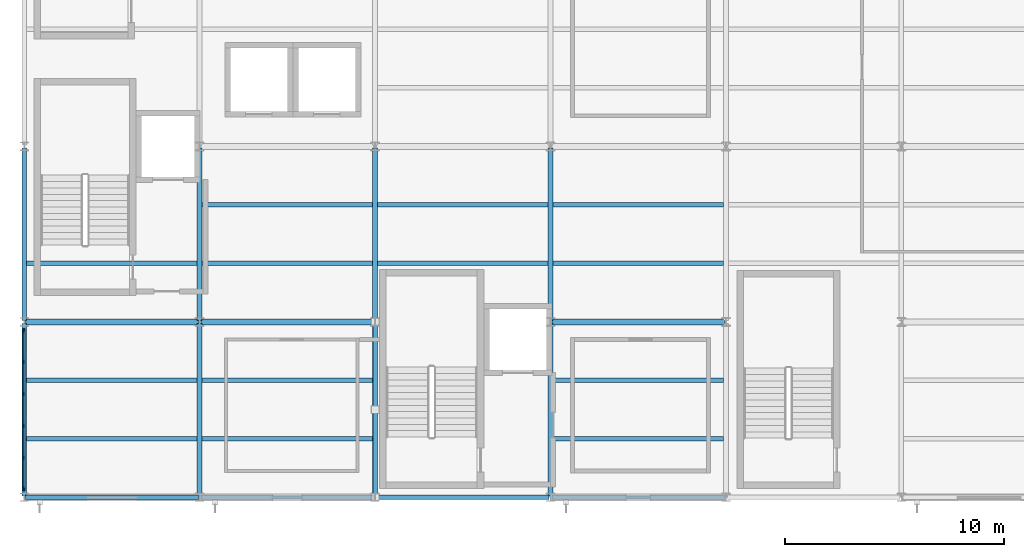
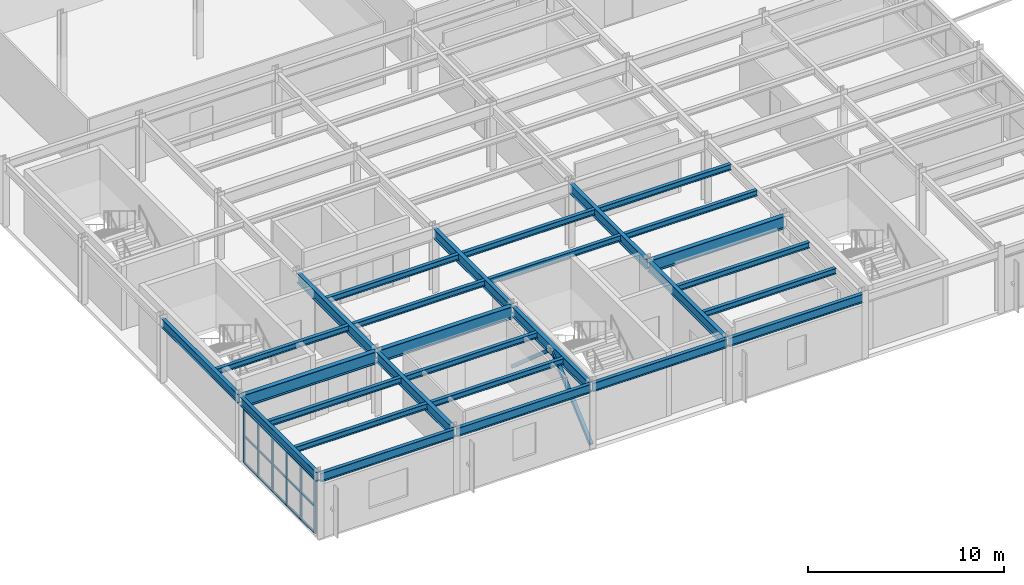
# One storey, part 3 of 67: 28 beams, 11 members, 1 element without a shape of its own.
"""IFC4 building model written with IfcOpenShell, lengths in metres."""

from ifc_helpers import new_model, si_unit, direction, frame, origin, origin_2d, place, context, subcontext, project, spatial, rectangle, hollow_rectangle, i_section, extrude, material, material_profile, profile_set, type_object, element, aggregate, save


model = new_model("IFC4")

# Units and contexts
model_context = context("Model", 3, precision=1e-05, world=origin(), true_north=direction((0.0, 1.0)))
body_context = subcontext(model_context, "Body", "Model", "MODEL_VIEW")
ifc_project = project(units=[si_unit("LENGTHUNIT", "METRE"), si_unit("AREAUNIT", "SQUARE_METRE"), si_unit("VOLUMEUNIT", "CUBIC_METRE"), si_unit("PLANEANGLEUNIT", "RADIAN"), si_unit("MASSUNIT", "GRAM", prefix="KILO")], contexts=[model_context])

# Site, building, storey
site_placement = place(None, origin())
site = spatial("IfcSite", under=ifc_project, at=site_placement, CompositionType="ELEMENT")
building_placement = place(site_placement, origin())
building = spatial("IfcBuilding", under=site, at=building_placement, Name="Drelvath Fold Interchange", CompositionType="ELEMENT")
storey_placement = place(building_placement, frame((0.0, 0.0, 15.60009765625)))
storey = spatial("IfcBuildingStorey", under=building, at=storey_placement, Name="L03", CompositionType="ELEMENT", Elevation=15.60009765625)

# Beams
ifc_material_1 = material(Name="Steel ASTM A992 Grade 50", Category="steel")
ifc_material_profile_1 = material_profile(ifc_material_1, i_section(OverallWidth=0.205078125, OverallDepth=0.35400390625, WebThickness=0.009521484375, FlangeThickness=0.016845703125, at=origin_2d()), Name="W14X53")
ifc_profile_set_1 = profile_set([ifc_material_profile_1], Name="Steel ASTM A992 Grade 50")
beam_type_1 = type_object("IfcBeamType", Name="BM-W14X53", PredefinedType="JOIST", material=ifc_profile_set_1)
for number, where, z_axis, x_axis, name in (
    (1, (4.10302734375, 5.6669921875, 3.802978515625), (1.0, 0.0, 0.0), (0.0, 1.0, 0.0), "L03 Secondary floor joist BM-W14X53"),
    (2, (4.10302734375, 8.3330078125, 3.802978515625), (1.0, 0.0, 0.0), (0.0, 1.0, 0.0), "L03 Secondary floor joist BM-W14X53"),
    (3, (4.10302734375, 13.6669921875, 3.802978515625), (1.0, 0.0, 0.0), (0.0, 1.0, 0.0), "L03 Secondary floor joist BM-W14X53"),
):
    element("IfcBeam", number, at=place(storey_placement, frame(where, z_axis=z_axis, x_axis=x_axis)), inside=storey, type_object=beam_type_1, Name=name, PredefinedType="JOIST", context=body_context, shape_type="SweptSolid", body=[
        extrude(i_section(OverallWidth=0.205078125, OverallDepth=0.35400390625, WebThickness=0.009521484375, FlangeThickness=0.016845703125, at=origin_2d()), origin(), (0.0, 0.0, 1.0), 7.783935546875),
    ])
for number, where, z_axis, x_axis, name in (
    (4, (12.113037109375, 5.6669921875, 3.802978515625), (1.0, 0.0, 0.0), (0.0, 1.0, 0.0), "L03 Secondary floor joist BM-W14X53"),
    (5, (12.113037109375, 8.3330078125, 3.802978515625), (1.0, 0.0, 0.0), (0.0, 1.0, 0.0), "L03 Secondary floor joist BM-W14X53"),
    (6, (12.113037109375, 13.6669921875, 3.802978515625), (1.0, 0.0, 0.0), (0.0, 1.0, 0.0), "L03 Secondary floor joist BM-W14X53"),
    (7, (12.113037109375, 16.3330078125, 3.802978515625), (1.0, 0.0, 0.0), (0.0, 1.0, 0.0), "L03 Secondary floor joist BM-W14X53"),
    (8, (20.113037109375, 13.6669921875, 3.802978515625), (1.0, 0.0, 0.0), (0.0, 1.0, 0.0), "L03 Secondary floor joist BM-W14X53"),
    (9, (20.113037109375, 16.3330078125, 3.802978515625), (1.0, 0.0, 0.0), (0.0, 1.0, 0.0), "L03 Secondary floor joist BM-W14X53"),
    (10, (28.113037109375, 5.6669921875, 3.802978515625), (1.0, 0.0, 0.0), (0.0, 1.0, 0.0), "L03 Secondary floor joist BM-W14X53"),
    (11, (28.113037109375, 8.3330078125, 3.802978515625), (1.0, 0.0, 0.0), (0.0, 1.0, 0.0), "L03 Secondary floor joist BM-W14X53"),
    (12, (28.113037109375, 13.6669921875, 3.802978515625), (1.0, 0.0, 0.0), (0.0, 1.0, 0.0), "L03 Secondary floor joist BM-W14X53"),
    (13, (28.113037109375, 16.3330078125, 3.802978515625), (1.0, 0.0, 0.0), (0.0, 1.0, 0.0), "L03 Secondary floor joist BM-W14X53"),
):
    element("IfcBeam", number, at=place(storey_placement, frame(where, z_axis=z_axis, x_axis=x_axis)), inside=storey, type_object=beam_type_1, Name=name, PredefinedType="JOIST", context=body_context, shape_type="SweptSolid", body=[
        extrude(i_section(OverallWidth=0.205078125, OverallDepth=0.35400390625, WebThickness=0.009521484375, FlangeThickness=0.016845703125, at=origin_2d()), origin(), (0.0, 0.0, 1.0), 7.77392578125),
    ])
ifc_material_profile_2 = material_profile(ifc_material_1, i_section(OverallWidth=0.2099609375, OverallDepth=0.537109375, WebThickness=0.010986328125, FlangeThickness=0.017333984375, at=origin_2d()), Name="W21X68")
ifc_profile_set_2 = profile_set([ifc_material_profile_2], Name="Steel ASTM A992 Grade 50")
beam_type_2 = type_object("IfcBeamType", Name="BM-W21X68", PredefinedType="SPANDREL", material=ifc_profile_set_2)
for number, where, z_axis, x_axis, name in (
    (14, (4.06005859375, 3.0, 3.7109375), (1.0, 0.0, 0.0), (0.0, 1.0, 0.0), "L03 Primary X girder BM-W21X68"),
    (15, (12.06005859375, 3.0, 3.7109375), (1.0, 0.0, 0.0), (0.0, 1.0, 0.0), "L03 Primary X girder BM-W21X68"),
    (16, (20.06005859375, 3.0, 3.7109375), (1.0, 0.0, 0.0), (0.0, 1.0, 0.0), "L03 Primary X girder BM-W21X68"),
    (17, (28.06005859375, 3.0, 3.7109375), (1.0, 0.0, 0.0), (0.0, 1.0, 0.0), "L03 Primary X girder BM-W21X68"),
    (18, (4.0, 3.06005859375, 3.7109375), (0.0, 1.0, 0.0), (-1.0, 0.0, 0.0), "L03 Primary Y girder BM-W21X68"),
    (19, (4.0, 11.06005859375, 3.7109375), (0.0, 1.0, 0.0), (-1.0, 0.0, 0.0), "L03 Primary Y girder BM-W21X68"),
):
    element("IfcBeam", number, at=place(storey_placement, frame(where, z_axis=z_axis, x_axis=x_axis)), inside=storey, type_object=beam_type_2, Name=name, PredefinedType="SPANDREL", context=body_context, shape_type="SweptSolid", body=[
        extrude(i_section(OverallWidth=0.2099609375, OverallDepth=0.537109375, WebThickness=0.010986328125, FlangeThickness=0.017333984375, at=origin_2d()), origin(), (0.0, 0.0, 1.0), 7.8798828125),
    ])
ifc_material_profile_3 = material_profile(ifc_material_1, i_section(OverallWidth=0.22998046875, OverallDepth=0.616943359375, WebThickness=0.01318359375, FlangeThickness=0.022216796875, at=origin_2d()), Name="W24X94")
ifc_profile_set_3 = profile_set([ifc_material_profile_3], Name="Steel ASTM A992 Grade 50")
beam_type_3 = type_object("IfcBeamType", Name="BM-W24X94", PredefinedType="BEAM", material=ifc_profile_set_3)
for number, where, z_axis, x_axis, name in (
    (20, (12.0, 3.06005859375, 3.6708984375), (0.0, 1.0, 0.0), (-1.0, 0.0, 0.0), "L03 Primary Y girder BM-W24X94"),
    (21, (12.0, 11.06005859375, 3.6708984375), (0.0, 1.0, 0.0), (-1.0, 0.0, 0.0), "L03 Primary Y girder BM-W24X94"),
    (22, (20.0, 3.06005859375, 3.6708984375), (0.0, 1.0, 0.0), (-1.0, 0.0, 0.0), "L03 Primary Y girder BM-W24X94"),
    (23, (20.0, 11.06005859375, 3.6708984375), (0.0, 1.0, 0.0), (-1.0, 0.0, 0.0), "L03 Primary Y girder BM-W24X94"),
    (24, (28.0, 3.06005859375, 3.6708984375), (0.0, 1.0, 0.0), (-1.0, 0.0, 0.0), "L03 Primary Y girder BM-W24X94"),
    (25, (28.0, 11.06005859375, 3.6708984375), (0.0, 1.0, 0.0), (-1.0, 0.0, 0.0), "L03 Primary Y girder BM-W24X94"),
):
    element("IfcBeam", number, at=place(storey_placement, frame(where, z_axis=z_axis, x_axis=x_axis)), inside=storey, type_object=beam_type_3, Name=name, PredefinedType="BEAM", context=body_context, shape_type="SweptSolid", body=[
        extrude(i_section(OverallWidth=0.22998046875, OverallDepth=0.616943359375, WebThickness=0.01318359375, FlangeThickness=0.022216796875, at=origin_2d()), origin(), (0.0, 0.0, 1.0), 7.8798828125),
    ])
ifc_material_profile_4 = material_profile(ifc_material_1, i_section(OverallWidth=0.26611328125, OverallDepth=0.779052734375, WebThickness=0.0166015625, FlangeThickness=0.030029296875, at=origin_2d()), Name="W30X148")
ifc_profile_set_4 = profile_set([ifc_material_profile_4], Name="Steel ASTM A992 Grade 50")
beam_type_4 = type_object("IfcBeamType", Name="BM-W30X148", PredefinedType="BEAM", material=ifc_profile_set_4)
for number, where, z_axis, x_axis, name in (
    (26, (4.06005859375, 11.0, 3.58984375), (1.0, 0.0, 0.0), (0.0, 1.0, 0.0), "L03 Primary X girder BM-W30X148"),
    (27, (12.06005859375, 11.0, 3.58984375), (1.0, 0.0, 0.0), (0.0, 1.0, 0.0), "L03 Primary X girder BM-W30X148"),
    (28, (28.06005859375, 11.0, 3.58984375), (1.0, 0.0, 0.0), (0.0, 1.0, 0.0), "L03 Primary X girder BM-W30X148"),
):
    element("IfcBeam", number, at=place(storey_placement, frame(where, z_axis=z_axis, x_axis=x_axis)), inside=storey, type_object=beam_type_4, Name=name, PredefinedType="BEAM", context=body_context, shape_type="SweptSolid", body=[
        extrude(i_section(OverallWidth=0.26611328125, OverallDepth=0.779052734375, WebThickness=0.0166015625, FlangeThickness=0.030029296875, at=origin_2d()), origin(), (0.0, 0.0, 1.0), 7.8798828125),
    ])

# Members
ifc_material_2 = material(Name="Steel ASTM A500 Grade C", Category="steel")
ifc_material_profile_5 = material_profile(ifc_material_2, hollow_rectangle(XDim=0.202880859375, YDim=0.202880859375, WallThickness=0.0087890625, at=origin_2d()), Name="HSS8X8X3/8")
ifc_profile_set_5 = profile_set([ifc_material_profile_5], Name="Steel ASTM A500 Grade C")
member_type_1 = type_object("IfcMemberType", Name="BR-CBF203", PredefinedType="BRACE", material=ifc_profile_set_5)
for number, where, z_axis, x_axis, name in (
    (29, (20.0, 3.0, 0.159912109375), (0.0, 0.751552819521, 0.659672918551), (-1.0, 0.0, 0.0), "L03 Concentrically braced frame diagonal BR-CBF203"),
    (30, (20.0, 11.0, 0.159912109375), (0.0, -0.751552819521, 0.659672918551), (1.0, 0.0, 0.0), "L03 Concentrically braced frame diagonal BR-CBF203"),
):
    element("IfcMember", number, at=place(storey_placement, frame(where, z_axis=z_axis, x_axis=x_axis)), inside=storey, type_object=member_type_1, Name=name, PredefinedType="BRACE", context=body_context, shape_type="SweptSolid", body=[
        extrude(hollow_rectangle(XDim=0.202880859375, YDim=0.202880859375, WallThickness=0.0087890625, at=origin_2d()), origin(), (0.0, 0.0, 1.0), 5.322265625),
    ])

# Curtain wall, members
ifc_material_3 = material(Name="Anodized Aluminium 6063-T6", Category="aluminium")
curtain_wall_type = type_object("IfcCurtainWallType", Name="CW-OPS-UPP", PredefinedType="USERDEFINED", material=ifc_material_3)
curtain_wall_placement = place(storey_placement, origin())
curtain_wall = element("IfcCurtainWall", 31, at=curtain_wall_placement, inside=storey, type_object=curtain_wall_type, Name="Curtain wall CW-V5-L03-W3", ObjectType="UNITISED CURTAIN WALL", PredefinedType="USERDEFINED")
ifc_material_profile_6 = material_profile(ifc_material_3, rectangle(XDim=0.06005859375, YDim=0.175048828125, at=origin_2d()), Name="AL-M 60x175")
ifc_profile_set_6 = profile_set([ifc_material_profile_6], Name="Anodized Aluminium 6063-T6")
member_type_2 = type_object("IfcMemberType", Name="ML-175", PredefinedType="MULLION", material=ifc_profile_set_6)
member_1_placement = place(storey_placement, frame((4.0, 3.39990234375, 0.0), z_axis=(0.0, 0.0, 1.0), x_axis=(1.0, 0.0, 0.0)))
member_1 = element("IfcMember", 32, at=member_1_placement, type_object=member_type_2, Name="CW-V5-L03-W3 mullion 0", PredefinedType="MULLION", context=body_context, shape_type="SweptSolid", body=[
    extrude(rectangle(XDim=0.06005859375, YDim=0.175048828125, at=origin_2d()), origin(), (0.0, 0.0, 1.0), 3.349853515625),
])
member_2_placement = place(storey_placement, frame((4.0, 4.81591796875, 0.0), z_axis=(0.0, 0.0, 1.0), x_axis=(1.0, 0.0, 0.0)))
member_2 = element("IfcMember", 33, at=member_2_placement, type_object=member_type_2, Name="CW-V5-L03-W3 mullion 1", PredefinedType="MULLION", context=body_context, shape_type="SweptSolid", body=[
    extrude(rectangle(XDim=0.06005859375, YDim=0.175048828125, at=origin_2d()), origin(), (0.0, 0.0, 1.0), 3.349853515625),
])
member_3_placement = place(storey_placement, frame((4.0, 6.27197265625, 0.0), z_axis=(0.0, 0.0, 1.0), x_axis=(1.0, 0.0, 0.0)))
member_3 = element("IfcMember", 34, at=member_3_placement, type_object=member_type_2, Name="CW-V5-L03-W3 mullion 2", PredefinedType="MULLION", context=body_context, shape_type="SweptSolid", body=[
    extrude(rectangle(XDim=0.06005859375, YDim=0.175048828125, at=origin_2d()), origin(), (0.0, 0.0, 1.0), 3.349853515625),
])
member_4_placement = place(storey_placement, frame((4.0, 7.72802734375, 0.0), z_axis=(0.0, 0.0, 1.0), x_axis=(1.0, 0.0, 0.0)))
member_4 = element("IfcMember", 35, at=member_4_placement, type_object=member_type_2, Name="CW-V5-L03-W3 mullion 3", PredefinedType="MULLION", context=body_context, shape_type="SweptSolid", body=[
    extrude(rectangle(XDim=0.06005859375, YDim=0.175048828125, at=origin_2d()), origin(), (0.0, 0.0, 1.0), 3.349853515625),
])
member_5_placement = place(storey_placement, frame((4.0, 9.18408203125, 0.0), z_axis=(0.0, 0.0, 1.0), x_axis=(1.0, 0.0, 0.0)))
member_5 = element("IfcMember", 36, at=member_5_placement, type_object=member_type_2, Name="CW-V5-L03-W3 mullion 4", PredefinedType="MULLION", context=body_context, shape_type="SweptSolid", body=[
    extrude(rectangle(XDim=0.06005859375, YDim=0.175048828125, at=origin_2d()), origin(), (0.0, 0.0, 1.0), 3.349853515625),
])
member_6_placement = place(storey_placement, frame((4.0, 10.60009765625, 0.0), z_axis=(0.0, 0.0, 1.0), x_axis=(1.0, 0.0, 0.0)))
member_6 = element("IfcMember", 37, at=member_6_placement, type_object=member_type_2, Name="CW-V5-L03-W3 mullion 5", PredefinedType="MULLION", context=body_context, shape_type="SweptSolid", body=[
    extrude(rectangle(XDim=0.06005859375, YDim=0.175048828125, at=origin_2d()), origin(), (0.0, 0.0, 1.0), 3.349853515625),
])
ifc_material_profile_7 = material_profile(ifc_material_3, rectangle(XDim=0.06005859375, YDim=0.139892578125, at=origin_2d()), Name="AL-T 60x140")
ifc_profile_set_7 = profile_set([ifc_material_profile_7], Name="Anodized Aluminium 6063-T6")
member_type_3 = type_object("IfcMemberType", Name="TR-140", PredefinedType="USERDEFINED", material=ifc_profile_set_7)
member_7_placement = place(storey_placement, frame((4.0, 3.39990234375, 0.02978515625), z_axis=(0.0, 1.0, 0.0), x_axis=(-1.0, 0.0, 0.0)))
member_7 = element("IfcMember", 38, at=member_7_placement, type_object=member_type_3, Name="CW-V5-L03-W3 transom 0", ObjectType="TRANSOM", PredefinedType="USERDEFINED", context=body_context, shape_type="SweptSolid", body=[
    extrude(rectangle(XDim=0.06005859375, YDim=0.139892578125, at=origin_2d()), origin(), (0.0, 0.0, 1.0), 7.2001953125),
])
member_8_placement = place(storey_placement, frame((4.0, 3.39990234375, 1.6748046875), z_axis=(0.0, 1.0, 0.0), x_axis=(-1.0, 0.0, 0.0)))
member_8 = element("IfcMember", 39, at=member_8_placement, type_object=member_type_3, Name="CW-V5-L03-W3 transom 1", ObjectType="TRANSOM", PredefinedType="USERDEFINED", context=body_context, shape_type="SweptSolid", body=[
    extrude(rectangle(XDim=0.06005859375, YDim=0.139892578125, at=origin_2d()), origin(), (0.0, 0.0, 1.0), 7.2001953125),
])
member_9_placement = place(storey_placement, frame((4.0, 3.39990234375, 3.31982421875), z_axis=(0.0, 1.0, 0.0), x_axis=(-1.0, 0.0, 0.0)))
member_9 = element("IfcMember", 40, at=member_9_placement, type_object=member_type_3, Name="CW-V5-L03-W3 transom 2", ObjectType="TRANSOM", PredefinedType="USERDEFINED", context=body_context, shape_type="SweptSolid", body=[
    extrude(rectangle(XDim=0.06005859375, YDim=0.139892578125, at=origin_2d()), origin(), (0.0, 0.0, 1.0), 7.2001953125),
])
aggregate(curtain_wall, [member_1, member_2, member_3, member_4, member_5, member_6, member_7, member_8, member_9])

save(model, "model.ifc")
